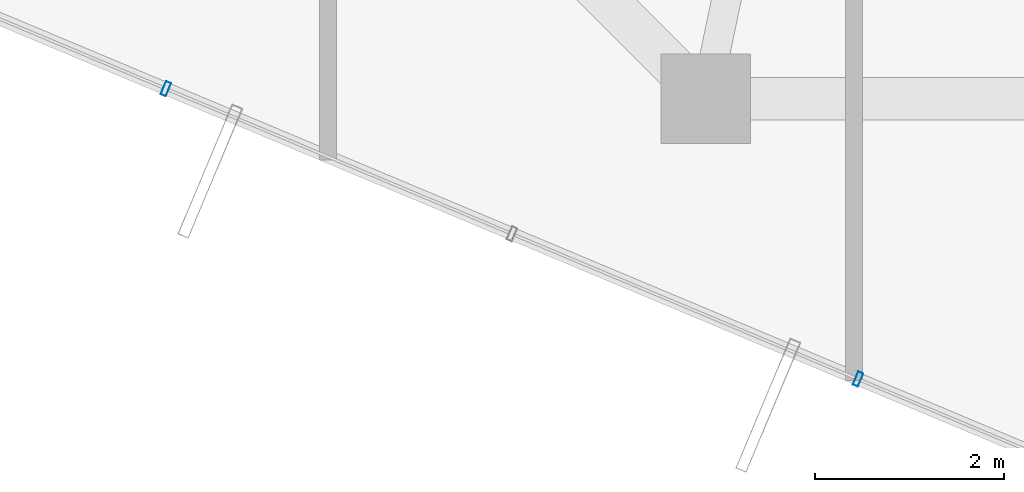
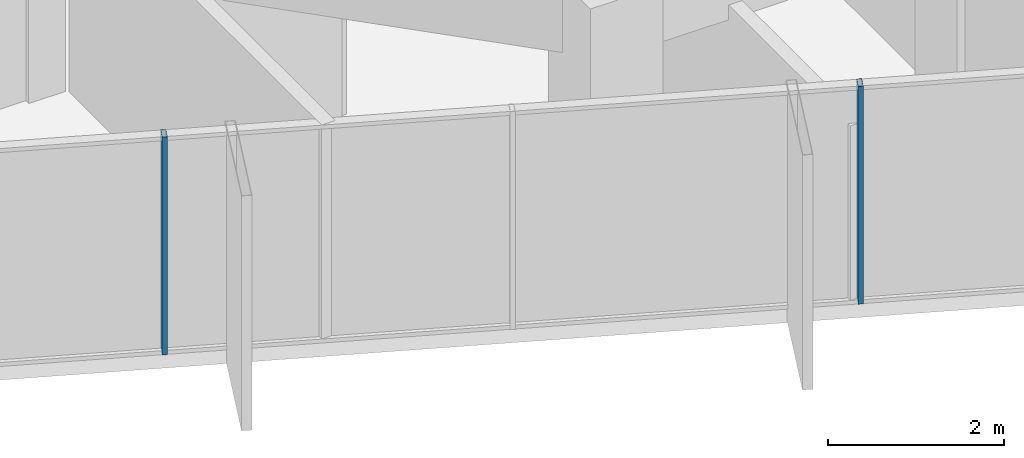
# One storey, part 4 of 32: 2 members, 1 element without a shape of its own.
"""IFC4 building model written with IfcOpenShell, lengths in metres."""

from ifc_helpers import new_model, si_unit, direction, frame, origin, origin_2d, place, context, subcontext, project, spatial, hollow_rectangle, extrude, source, transform, mapped, material, layer, layer_set, material_profile, profile_set, type_object, element, aggregate, save


model = new_model("IFC4")

# Units and contexts
model_context = context("Model", 3, precision=1e-05, world=origin(), true_north=direction((0.0, 1.0)))
body_context = subcontext(model_context, "Body", "Model", "MODEL_VIEW")
ifc_project = project(units=[si_unit("LENGTHUNIT", "METRE"), si_unit("AREAUNIT", "SQUARE_METRE"), si_unit("VOLUMEUNIT", "CUBIC_METRE"), si_unit("PLANEANGLEUNIT", "RADIAN"), si_unit("MASSUNIT", "GRAM", prefix="KILO")], contexts=[model_context])

# Site, building, storey
site_placement = place(None, origin())
site = spatial("IfcSite", under=ifc_project, at=site_placement, CompositionType="ELEMENT")
building_placement = place(site_placement, origin())
building = spatial("IfcBuilding", under=site, at=building_placement, Name="Veraguas Prism Commons", CompositionType="ELEMENT")
storey_placement = place(building_placement, frame((0.0, 0.0, 182.10009765625)))
storey = spatial("IfcBuildingStorey", under=building, at=storey_placement, Name="L51", CompositionType="ELEMENT", Elevation=182.10009765625)

# Curtain wall, members
ifc_material = material(Name="Anodised aluminium EN AW-6063 T6", Category="aluminium")
ifc_layer = layer(ifc_material, 0.14990234375, Name="Unitised Flush Curtain Wall Zone 3", Category="aluminium")
ifc_layer_set = layer_set([ifc_layer], Name="Anodised aluminium EN AW-6063 T6")
curtain_wall_type = type_object("IfcCurtainWallType", Name="Unitised Flush Curtain Wall Zone 3", PredefinedType="NOTDEFINED", material=ifc_layer_set)
curtain_wall_placement = place(storey_placement, origin())
curtain_wall = element("IfcCurtainWall", 1, at=curtain_wall_placement, inside=storey, type_object=curtain_wall_type, Name="Tower Facade Curtain Wall L51-F4", PredefinedType="NOTDEFINED")
ifc_material_profile = material_profile(ifc_material, hollow_rectangle(XDim=0.06005859375, YDim=0.14990234375, WallThickness=0.0029296875, at=origin_2d()), Name="AL60X150X3")
ifc_profile_set = profile_set([ifc_material_profile], Name="Anodised aluminium EN AW-6063 T6")
member_type = type_object("IfcMemberType", Name="Curtain Wall Mullion Upper AL 60x150x3", PredefinedType="MULLION", material=ifc_profile_set)
shared_shape = source(origin(), body_context, "Body", "SweptSolid", [
    extrude(hollow_rectangle(XDim=0.06005859375, YDim=0.14990234375, WallThickness=0.0029296875, at=origin_2d()), origin(), (0.0, 0.0, 1.0), 3.014892578125),
])
member_1_placement = place(storey_placement, frame((13.482421875, 9.206787109375, 0.0), z_axis=(0.0, 0.0, 1.0), x_axis=(0.922134139047, -0.386870300752, 0.0)))
member_1 = element("IfcMember", 2, at=member_1_placement, type_object=member_type, Name="CW-Z3 Mullion 2", PredefinedType="MULLION", context=body_context, shape_type="MappedRepresentation", body=[
    mapped(shared_shape, transform((0.0, 0.0, 0.0), scale=1.0)),
])
member_2_placement = place(storey_placement, frame((20.814453125, 6.130859375, 0.0), z_axis=(0.0, 0.0, 1.0), x_axis=(0.922134139047, -0.386870300752, 0.0)))
member_2 = element("IfcMember", 3, at=member_2_placement, type_object=member_type, Name="CW-Z3 Mullion 4", PredefinedType="MULLION", context=body_context, shape_type="MappedRepresentation", body=[
    mapped(shared_shape, transform((0.0, 0.0, 0.0), scale=1.0)),
])
aggregate(curtain_wall, [member_1, member_2])

save(model, "model.ifc")
